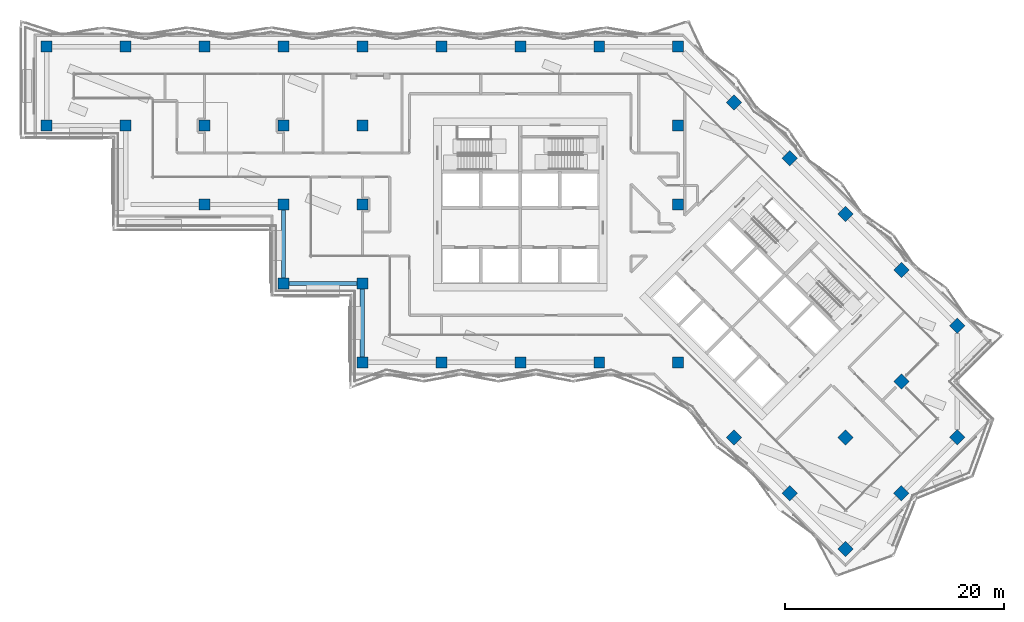
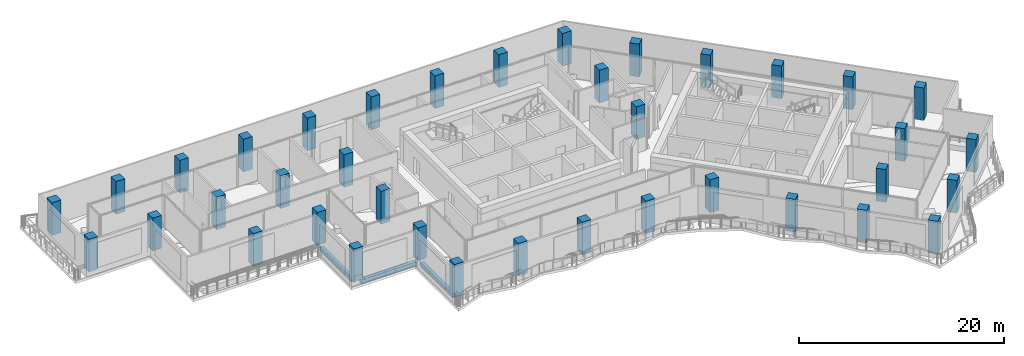
# One storey, part 1 of 23: 38 columns, 3 beams.
"""IFC4 building model written with IfcOpenShell, lengths in metres."""

from ifc_helpers import new_model, si_unit, direction, frame, origin, origin_2d, place, context, subcontext, project, spatial, rectangle, extrude, material, material_profile, profile_set, type_object, element, save


model = new_model("IFC4")

# Units and contexts
model_context = context("Model", 3, precision=1e-05, world=origin(), true_north=direction((0.0, 1.0)))
body_context = subcontext(model_context, "Body", "Model", "MODEL_VIEW")
ifc_project = project(units=[si_unit("LENGTHUNIT", "METRE"), si_unit("AREAUNIT", "SQUARE_METRE"), si_unit("VOLUMEUNIT", "CUBIC_METRE"), si_unit("PLANEANGLEUNIT", "RADIAN"), si_unit("MASSUNIT", "GRAM", prefix="KILO")], contexts=[model_context])

# Site, building, storey
site_placement = place(None, origin())
site = spatial("IfcSite", under=ifc_project, at=site_placement, CompositionType="ELEMENT")
building_placement = place(site_placement, origin())
building = spatial("IfcBuilding", under=site, at=building_placement, Name="Windrow Commons", CompositionType="ELEMENT")
storey_placement = place(building_placement, frame((0.0, 0.0, 122.0)))
storey = spatial("IfcBuildingStorey", under=building, at=storey_placement, Name="L33", CompositionType="ELEMENT", Elevation=122.0)

# Columns
ifc_material_1 = material(Name="Concrete C60/75", Category="concrete")
ifc_material_profile_1 = material_profile(ifc_material_1, rectangle(XDim=1.0, YDim=1.0, at=origin_2d()))
ifc_profile_set_1 = profile_set([ifc_material_profile_1], Name="Concrete C60/75")
column_type = type_object("IfcColumnType", Name="RC COLUMN 1000x1000 C60/75", PredefinedType="COLUMN", material=ifc_profile_set_1)
for number, where, z_axis, x_axis, name in (
    (1, (21.6, 64.8, 0.0), (0.0, 0.0, 1.0), (1.0, 0.0, 0.0), "C-SG2-04I"),
    (2, (21.6, 72.0, 0.0), (0.0, 0.0, 1.0), (1.0, 0.0, 0.0), "C-SG2-04J"),
    (3, (28.8, 64.8, 0.0), (0.0, 0.0, 1.0), (1.0, 0.0, 0.0), "C-SG2-05I"),
    (4, (28.8, 72.0, 0.0), (0.0, 0.0, 1.0), (1.0, 0.0, 0.0), "C-SG2-05J"),
    (5, (36.0, 57.6, 0.0), (0.0, 0.0, 1.0), (1.0, 0.0, 0.0), "C-SG2-06H"),
    (6, (36.0, 64.8, 0.0), (0.0, 0.0, 1.0), (1.0, 0.0, 0.0), "C-SG2-06I"),
    (7, (36.0, 72.0, 0.0), (0.0, 0.0, 1.0), (1.0, 0.0, 0.0), "C-SG2-06J"),
    (8, (43.2, 50.4, 0.0), (0.0, 0.0, 1.0), (1.0, 0.0, 0.0), "C-SG2-07G"),
    (9, (43.2, 57.6, 0.0), (0.0, 0.0, 1.0), (1.0, 0.0, 0.0), "C-SG2-07H"),
    (10, (43.2, 64.8, 0.0), (0.0, 0.0, 1.0), (1.0, 0.0, 0.0), "C-SG2-07I"),
    (11, (43.2, 72.0, 0.0), (0.0, 0.0, 1.0), (1.0, 0.0, 0.0), "C-SG2-07J"),
    (12, (50.4, 43.2, 0.0), (0.0, 0.0, 1.0), (1.0, 0.0, 0.0), "C-SG2-08F"),
    (13, (50.4, 50.4, 0.0), (0.0, 0.0, 1.0), (1.0, 0.0, 0.0), "C-SG2-08G"),
    (14, (50.4, 57.6, 0.0), (0.0, 0.0, 1.0), (1.0, 0.0, 0.0), "C-SG2-08H"),
    (15, (50.4, 64.8, 0.0), (0.0, 0.0, 1.0), (1.0, 0.0, 0.0), "C-SG2-08I"),
    (16, (50.4, 72.0, 0.0), (0.0, 0.0, 1.0), (1.0, 0.0, 0.0), "C-SG2-08J"),
    (17, (57.6, 43.2, 0.0), (0.0, 0.0, 1.0), (1.0, 0.0, 0.0), "C-SG2-09F"),
    (18, (57.6, 72.0, 0.0), (0.0, 0.0, 1.0), (1.0, 0.0, 0.0), "C-SG2-09J"),
    (19, (64.8, 43.2, 0.0), (0.0, 0.0, 1.0), (1.0, 0.0, 0.0), "C-SG2-10F"),
    (20, (64.8, 72.0, 0.0), (0.0, 0.0, 1.0), (1.0, 0.0, 0.0), "C-SG2-10J"),
    (21, (72.0, 43.2, 0.0), (0.0, 0.0, 1.0), (1.0, 0.0, 0.0), "C-SG2-11F"),
    (22, (72.0, 72.0, 0.0), (0.0, 0.0, 1.0), (1.0, 0.0, 0.0), "C-SG2-11J"),
    (23, (79.2, 43.2, 0.0), (0.0, 0.0, 1.0), (1.0, 0.0, 0.0), "C-SG2-12F"),
    (24, (79.2, 57.6, 0.0), (0.0, 0.0, 1.0), (1.0, 0.0, 0.0), "C-SG2-12H"),
    (25, (79.2, 64.8, 0.0), (0.0, 0.0, 1.0), (1.0, 0.0, 0.0), "C-SG2-12I"),
    (26, (79.2, 72.0, 0.0), (0.0, 0.0, 1.0), (1.0, 0.0, 0.0), "C-SG2-12J"),
    (27, (84.2912, 66.9088, 0.0), (0.0, 0.0, 1.0), (0.7071067812, -0.7071067812, 0.0), "C-SG2-P2Q"),
    (28, (89.3823, 61.8177, 0.0), (0.0, 0.0, 1.0), (0.7071067812, -0.7071067812, 0.0), "C-SG2-P3Q"),
    (29, (94.4735, 56.7265, 0.0), (0.0, 0.0, 1.0), (0.7071067812, -0.7071067812, 0.0), "C-SG2-P4Q"),
    (30, (99.5647, 51.6353, 0.0), (0.0, 0.0, 1.0), (0.7071067812, -0.7071067812, 0.0), "C-SG2-P5Q"),
    (31, (84.2912, 36.3618, 0.0), (0.0, 0.0, 1.0), (0.7071067812, -0.7071067812, 0.0), "C-SG2-P5T"),
    (32, (104.6558, 46.5442, 0.0), (0.0, 0.0, 1.0), (0.7071067812, -0.7071067812, 0.0), "C-SG2-P6Q"),
    (33, (99.5647, 41.453, 0.0), (0.0, 0.0, 1.0), (0.7071067812, -0.7071067812, 0.0), "C-SG2-P6R"),
    (34, (94.4735, 36.3618, 0.0), (0.0, 0.0, 1.0), (0.7071067812, -0.7071067812, 0.0), "C-SG2-P6S"),
    (35, (89.3823, 31.2706, 0.0), (0.0, 0.0, 1.0), (0.7071067812, -0.7071067812, 0.0), "C-SG2-P6T"),
    (36, (104.6558, 36.3618, 0.0), (0.0, 0.0, 1.0), (0.7071067812, -0.7071067812, 0.0), "C-SG2-P7R"),
    (37, (99.5647, 31.2706, 0.0), (0.0, 0.0, 1.0), (0.7071067812, -0.7071067812, 0.0), "C-SG2-P7S"),
    (38, (94.4735, 26.1795, 0.0), (0.0, 0.0, 1.0), (0.7071067812, -0.7071067812, 0.0), "C-SG2-P7T"),
):
    element("IfcColumn", number, at=place(storey_placement, frame(where, z_axis=z_axis, x_axis=x_axis)), inside=storey, type_object=column_type, Name=name, PredefinedType="COLUMN", context=body_context, shape_type="SweptSolid", body=[
        extrude(rectangle(XDim=1.0, YDim=1.0, at=origin_2d()), origin(), (0.0, 0.0, 1.0), 3.9),
    ])

# Beams
ifc_material_2 = material(Name="Concrete C50/60", Category="concrete")
ifc_material_profile_2 = material_profile(ifc_material_2, rectangle(XDim=0.4, YDim=0.5, at=origin_2d()))
ifc_profile_set_2 = profile_set([ifc_material_profile_2], Name="Concrete C50/60")
beam_type = type_object("IfcBeamType", Name="RC EDGE BEAM 400x500 C50/60", PredefinedType="SPANDREL", material=ifc_profile_set_2)
for number, where, z_axis, x_axis, name in (
    (39, (50.4, 43.7, -0.55), (0.0, 1.0, 0.0), (-1.0, 0.0, 0.0), "Edge beam L33 026"),
    (40, (49.9, 50.4, -0.55), (-1.0, 0.0, 0.0), (0.0, -1.0, 0.0), "Edge beam L33 027"),
    (41, (43.2, 50.9, -0.55), (0.0, 1.0, 0.0), (-1.0, 0.0, 0.0), "Edge beam L33 028"),
):
    element("IfcBeam", number, at=place(storey_placement, frame(where, z_axis=z_axis, x_axis=x_axis)), inside=storey, type_object=beam_type, Name=name, PredefinedType="SPANDREL", context=body_context, shape_type="SweptSolid", body=[
        extrude(rectangle(XDim=0.4, YDim=0.5, at=origin_2d()), origin(), (0.0, 0.0, 1.0), 6.2),
    ])

save(model, "model.ifc")
